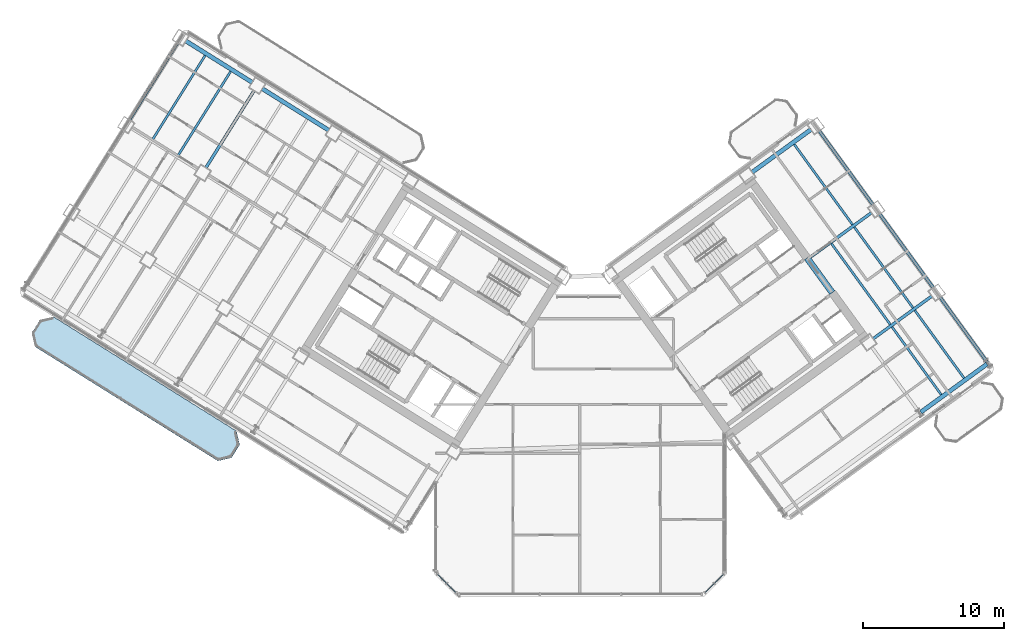
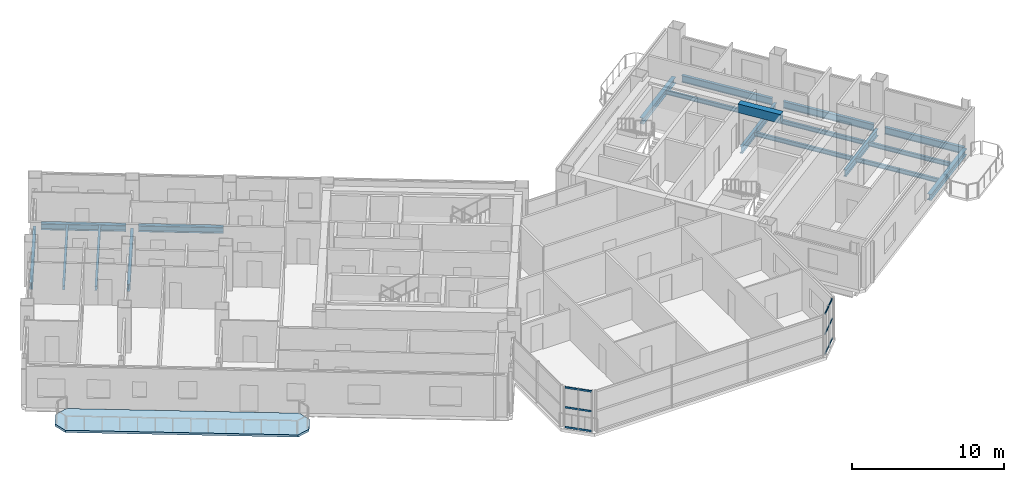
# One storey, part 13 of 29: 19 beams, 12 members, 1 slab, 2 elements without a shape of their own.
"""IFC4 building model written with IfcOpenShell, lengths in metres."""

from ifc_helpers import new_model, si_unit, direction, frame, origin, origin_2d, place, context, subcontext, project, spatial, polyline, rectangle, hollow_rectangle, i_section, outline, extrude, source, transform, mapped, material, layer, layer_set, material_profile, profile_set, type_object, element, aggregate, save


model = new_model("IFC4")

# Units and contexts
model_context = context("Model", 3, precision=1e-05, world=origin(), true_north=direction((0.0, 1.0)))
body_context = subcontext(model_context, "Body", "Model", "MODEL_VIEW")
ifc_project = project(units=[si_unit("LENGTHUNIT", "METRE"), si_unit("AREAUNIT", "SQUARE_METRE"), si_unit("VOLUMEUNIT", "CUBIC_METRE"), si_unit("PLANEANGLEUNIT", "RADIAN"), si_unit("MASSUNIT", "GRAM", prefix="KILO")], contexts=[model_context])

# Site, building, storey
site_placement = place(None, origin())
site = spatial("IfcSite", under=ifc_project, at=site_placement, CompositionType="ELEMENT")
building_placement = place(site_placement, origin())
building = spatial("IfcBuilding", under=site, at=building_placement, Name="Tlacorven Tower", CompositionType="ELEMENT")
storey_placement = place(building_placement, frame((0.0, 0.0, 165.89990234375)))
storey = spatial("IfcBuildingStorey", under=building, at=storey_placement, Name="L42", CompositionType="ELEMENT", Elevation=165.89990234375)

# Beams
ifc_material_1 = material(Name="Concrete C60/75", Category="concrete")
ifc_material_profile_1 = material_profile(ifc_material_1, rectangle(XDim=0.449951171875, YDim=0.699951171875, at=origin_2d()), Name="RC 450X700")
ifc_profile_set_1 = profile_set([ifc_material_profile_1], Name="Concrete C60/75")
beam_type_1 = type_object("IfcBeamType", Name="BM-LNT-700", PredefinedType="LINTEL", material=ifc_profile_set_1)
shared_shape_1 = source(origin(), body_context, "Body", "SweptSolid", [
    extrude(rectangle(XDim=0.449951171875, YDim=0.699951171875, at=origin_2d()), origin(), (0.0, 0.0, 1.0), 3.050048828125),
])
beam_1_placement = place(storey_placement, frame((59.856689453125, 23.345947265625, 2.97021484375), z_axis=(-0.587776590479, 0.80902328748, 0.0), x_axis=(-0.80902328748, -0.587776590479, 0.0)))
element("IfcBeam", 1, at=beam_1_placement, inside=storey, type_object=beam_type_1, Name="L42 E core coupling lintel beam E2", PredefinedType="LINTEL", context=body_context, shape_type="MappedRepresentation", body=[
    mapped(shared_shape_1, transform((0.0, 0.0, 0.0), scale=1.0)),
])
ifc_material_2 = material(Name="Steel S355J2", Category="steel")
ifc_material_profile_2 = material_profile(ifc_material_2, i_section(OverallWidth=0.300048828125, OverallDepth=0.489990234375, WebThickness=0.011962890625, FlangeThickness=0.02294921875, at=origin_2d()), Name="HEA 500")
ifc_profile_set_2 = profile_set([ifc_material_profile_2], Name="Steel S355J2")
beam_type_2 = type_object("IfcBeamType", Name="BM-SPN-500", PredefinedType="SPANDREL", material=ifc_profile_set_2)
shared_shape_2 = source(origin(), body_context, "Body", "SweptSolid", [
    extrude(i_section(OverallWidth=0.300048828125, OverallDepth=0.489990234375, WebThickness=0.011962890625, FlangeThickness=0.02294921875, at=origin_2d()), origin(), (0.0, 0.0, 1.0), 5.800048828125),
])
beam_2_placement = place(storey_placement, frame((66.138671875, 14.86962890625, -0.494873046875), z_axis=(0.809019944521, 0.587781191743, 0.0), x_axis=(-0.587781191743, 0.809019944521, 0.0)))
element("IfcBeam", 2, at=beam_2_placement, inside=storey, type_object=beam_type_2, Name="L42 beam BM-L42-EL1-3", PredefinedType="SPANDREL", context=body_context, shape_type="MappedRepresentation", body=[
    mapped(shared_shape_2, transform((0.0, 0.0, 0.0), scale=1.0)),
])
shared_shape_3 = source(origin(), body_context, "Body", "SweptSolid", [
    extrude(i_section(OverallWidth=0.300048828125, OverallDepth=0.489990234375, WebThickness=0.011962890625, FlangeThickness=0.02294921875, at=origin_2d()), origin(), (0.0, 0.0, 1.0), 5.599853515625),
])
for number, where, z_axis, x_axis, name in (
    (3, (24.1611328125, 34.854736328125, -0.494873046875), (-0.848047285686, 0.529920561254, 0.0), (-0.529920561254, -0.848047285686, 0.0), "L42 beam BM-L42-WL1-4"),
    (4, (18.733642578125, 38.246337890625, -0.494873046875), (-0.848047285686, 0.529920561254, 0.0), (-0.529920561254, -0.848047285686, 0.0), "L42 beam BM-L42-WL1-5"),
):
    element("IfcBeam", number, at=place(storey_placement, frame(where, z_axis=z_axis, x_axis=x_axis)), inside=storey, type_object=beam_type_2, Name=name, PredefinedType="SPANDREL", context=body_context, shape_type="MappedRepresentation", body=[
        mapped(shared_shape_3, transform((0.0, 0.0, 0.0), scale=1.0)),
    ])
ifc_material_profile_3 = material_profile(ifc_material_2, i_section(OverallWidth=0.2099609375, OverallDepth=0.550048828125, WebThickness=0.010986328125, FlangeThickness=0.01708984375, at=origin_2d()), Name="IPE 550")
ifc_profile_set_3 = profile_set([ifc_material_profile_3], Name="Steel S355J2")
beam_type_3 = type_object("IfcBeamType", Name="BM-TWR-550", PredefinedType="BEAM", material=ifc_profile_set_3)
shared_shape_4 = source(origin(), body_context, "Body", "SweptSolid", [
    extrude(i_section(OverallWidth=0.2099609375, OverallDepth=0.550048828125, WebThickness=0.010986328125, FlangeThickness=0.01708984375, at=origin_2d()), origin(), (0.0, 0.0, 1.0), 5.7001953125),
])
beam_3_placement = place(storey_placement, frame((70.853271484375, 18.41845703125, -0.52490234375), z_axis=(-0.587766699507, 0.809030473438, 0.0), x_axis=(-0.809030473438, -0.587766699507, 0.0)))
element("IfcBeam", 5, at=beam_3_placement, inside=storey, type_object=beam_type_3, Name="L42 beam BM-L42-ET4-1", PredefinedType="BEAM", context=body_context, shape_type="MappedRepresentation", body=[
    mapped(shared_shape_4, transform((0.0, 0.0, 0.0), scale=1.0)),
])
shared_shape_5 = source(origin(), body_context, "Body", "SweptSolid", [
    extrude(i_section(OverallWidth=0.2099609375, OverallDepth=0.550048828125, WebThickness=0.010986328125, FlangeThickness=0.01708984375, at=origin_2d()), origin(), (0.0, 0.0, 1.0), 6.5),
])
for number, where, z_axis, x_axis, name in (
    (6, (13.433349609375, 41.086669921875, -0.52490234375), (-0.529894274829, -0.848063710757, 0.0), (0.848063710757, -0.529894274829, 0.0), "L42 beam BM-L42-WT6-1"),
    (7, (67.03271484375, 23.67724609375, -0.52490234375), (-0.587809847215, 0.808999124547, 0.0), (-0.808999124547, -0.587809847215, 0.0), "L42 beam BM-L42-ET4-2"),
    (8, (62.74169921875, 29.5830078125, -0.52490234375), (-0.587785264321, 0.809016985636, 0.0), (-0.809016985636, -0.587785264321, 0.0), "L42 beam BM-L42-ET4-3"),
):
    element("IfcBeam", number, at=place(storey_placement, frame(where, z_axis=z_axis, x_axis=x_axis)), inside=storey, type_object=beam_type_3, Name=name, PredefinedType="BEAM", context=body_context, shape_type="MappedRepresentation", body=[
        mapped(shared_shape_5, transform((0.0, 0.0, 0.0), scale=1.0)),
    ])
shared_shape_6 = source(origin(), body_context, "Body", "SweptSolid", [
    extrude(i_section(OverallWidth=0.2099609375, OverallDepth=0.550048828125, WebThickness=0.010986328125, FlangeThickness=0.01708984375, at=origin_2d()), origin(), (0.0, 0.0, 1.0), 6.499755859375),
])
beam_4_placement = place(storey_placement, frame((18.86083984375, 37.695068359375, -0.52490234375), z_axis=(-0.529911154058, -0.848053163902, 0.0), x_axis=(0.848053163902, -0.529911154058, 0.0)))
element("IfcBeam", 9, at=beam_4_placement, inside=storey, type_object=beam_type_3, Name="L42 beam BM-L42-WT5-1", PredefinedType="BEAM", context=body_context, shape_type="MappedRepresentation", body=[
    mapped(shared_shape_6, transform((0.0, 0.0, 0.0), scale=1.0)),
])
shared_shape_7 = source(origin(), body_context, "Body", "SweptSolid", [
    extrude(i_section(OverallWidth=0.2099609375, OverallDepth=0.550048828125, WebThickness=0.010986328125, FlangeThickness=0.01708984375, at=origin_2d()), origin(), (0.0, 0.0, 1.0), 5.56005859375),
])
beam_5_placement = place(storey_placement, frame((58.155029296875, 25.756103515625, -0.52490234375), z_axis=(0.809028396397, 0.587769558435, 0.0), x_axis=(-0.587769558435, 0.809028396397, 0.0)))
element("IfcBeam", 10, at=beam_5_placement, inside=storey, type_object=beam_type_3, Name="L42 beam BM-L42-EL3-3", PredefinedType="BEAM", context=body_context, shape_type="MappedRepresentation", body=[
    mapped(shared_shape_7, transform((0.0, 0.0, 0.0), scale=1.0)),
])
ifc_material_profile_4 = material_profile(ifc_material_2, i_section(OverallWidth=0.159912109375, OverallDepth=0.330078125, WebThickness=0.007568359375, FlangeThickness=0.011474609375, at=origin_2d()), Name="IPE 330")
ifc_profile_set_4 = profile_set([ifc_material_profile_4], Name="Steel S355J2")
beam_type_4 = type_object("IfcBeamType", Name="BM-JST-330", PredefinedType="JOIST", material=ifc_profile_set_4)
shared_shape_8 = source(origin(), body_context, "Body", "SweptSolid", [
    extrude(i_section(OverallWidth=0.159912109375, OverallDepth=0.330078125, WebThickness=0.007568359375, FlangeThickness=0.011474609375, at=origin_2d()), origin(), (0.0, 0.0, 1.0), 5.93505859375),
])
for number, where, z_axis, x_axis, name in (
    (11, (67.584716796875, 16.11181640625, -0.414794921875), (-0.58778762431, 0.809015270998, 0.0), (-0.809015270998, -0.58778762431, 0.0), "L42 beam BM-L42-EJ3-1-1"),
    (12, (69.202880859375, 17.287353515625, -0.414794921875), (-0.58778762431, 0.809015270998, 0.0), (-0.809015270998, -0.58778762431, 0.0), "L42 beam BM-L42-EJ3-1-2"),
):
    element("IfcBeam", number, at=place(storey_placement, frame(where, z_axis=z_axis, x_axis=x_axis)), inside=storey, type_object=beam_type_4, Name=name, PredefinedType="JOIST", context=body_context, shape_type="MappedRepresentation", body=[
        mapped(shared_shape_8, transform((0.0, 0.0, 0.0), scale=1.0)),
    ])
shared_shape_9 = source(origin(), body_context, "Body", "SweptSolid", [
    extrude(i_section(OverallWidth=0.159912109375, OverallDepth=0.330078125, WebThickness=0.007568359375, FlangeThickness=0.011474609375, at=origin_2d()), origin(), (0.0, 0.0, 1.0), 7.080078125),
])
beam_6_placement = place(storey_placement, frame((65.5849609375, 22.266845703125, -0.414794921875), z_axis=(-0.587759505125, 0.809035700161, 0.0), x_axis=(-0.809035700161, -0.587759505125, 0.0)))
element("IfcBeam", 13, at=beam_6_placement, inside=storey, type_object=beam_type_4, Name="L42 beam BM-L42-EJ3-2-2", PredefinedType="JOIST", context=body_context, shape_type="MappedRepresentation", body=[
    mapped(shared_shape_9, transform((0.0, 0.0, 0.0), scale=1.0)),
])
shared_shape_10 = source(origin(), body_context, "Body", "SweptSolid", [
    extrude(i_section(OverallWidth=0.159912109375, OverallDepth=0.330078125, WebThickness=0.007568359375, FlangeThickness=0.011474609375, at=origin_2d()), origin(), (0.0, 0.0, 1.0), 7.03515625),
])
beam_7_placement = place(storey_placement, frame((17.181640625, 39.033447265625, -0.414794921875), z_axis=(-0.529920952588, -0.848047041153, 0.0), x_axis=(0.848047041153, -0.529920952588, 0.0)))
element("IfcBeam", 14, at=beam_7_placement, inside=storey, type_object=beam_type_4, Name="L42 beam BM-L42-WJ5-1-1", PredefinedType="JOIST", context=body_context, shape_type="MappedRepresentation", body=[
    mapped(shared_shape_10, transform((0.0, 0.0, 0.0), scale=1.0)),
])
shared_shape_11 = source(origin(), body_context, "Body", "SweptSolid", [
    extrude(i_section(OverallWidth=0.159912109375, OverallDepth=0.330078125, WebThickness=0.007568359375, FlangeThickness=0.011474609375, at=origin_2d()), origin(), (0.0, 0.0, 1.0), 7.034912109375),
])
for number, where, z_axis, x_axis, name in (
    (15, (15.372314453125, 40.163818359375, -0.414794921875), (-0.529895993776, -0.848062636708, 0.0), (0.848062636708, -0.529895993776, 0.0), "L42 beam BM-L42-WJ5-1-2"),
    (16, (61.294189453125, 28.1728515625, -0.414794921875), (-0.587781631373, 0.809019625115, 0.0), (-0.809019625115, -0.587781631373, 0.0), "L42 beam BM-L42-EJ3-3-2"),
):
    element("IfcBeam", number, at=place(storey_placement, frame(where, z_axis=z_axis, x_axis=x_axis)), inside=storey, type_object=beam_type_4, Name=name, PredefinedType="JOIST", context=body_context, shape_type="MappedRepresentation", body=[
        mapped(shared_shape_11, transform((0.0, 0.0, 0.0), scale=1.0)),
    ])
shared_shape_12 = source(origin(), body_context, "Body", "SweptSolid", [
    extrude(i_section(OverallWidth=0.159912109375, OverallDepth=0.330078125, WebThickness=0.007568359375, FlangeThickness=0.011474609375, at=origin_2d()), origin(), (0.0, 0.0, 1.0), 7.080322265625),
])
beam_8_placement = place(storey_placement, frame((63.967041015625, 21.09130859375, -0.414794921875), z_axis=(-0.587782074775, 0.809019302967, 0.0), x_axis=(-0.809019302967, -0.587782074775, 0.0)))
element("IfcBeam", 17, at=beam_8_placement, inside=storey, type_object=beam_type_4, Name="L42 beam BM-L42-EJ3-2-1", PredefinedType="JOIST", context=body_context, shape_type="MappedRepresentation", body=[
    mapped(shared_shape_12, transform((0.0, 0.0, 0.0), scale=1.0)),
])
shared_shape_13 = source(origin(), body_context, "Body", "SweptSolid", [
    extrude(i_section(OverallWidth=0.2099609375, OverallDepth=0.550048828125, WebThickness=0.010986328125, FlangeThickness=0.01708984375, at=origin_2d()), origin(), (0.0, 0.0, 1.0), 5.199951171875),
])
beam_9_placement = place(storey_placement, frame((62.7373046875, 20.06201171875, -0.52490234375), z_axis=(0.809018206713, 0.587783583648, 0.0), x_axis=(-0.587783583648, 0.809018206713, 0.0)))
element("IfcBeam", 18, at=beam_9_placement, inside=storey, type_object=beam_type_3, Name="L42 beam BM-L42-EL2-3", PredefinedType="BEAM", context=body_context, shape_type="MappedRepresentation", body=[
    mapped(shared_shape_13, transform((0.0, 0.0, 0.0), scale=1.0)),
])
shared_shape_14 = source(origin(), body_context, "Body", "SweptSolid", [
    extrude(i_section(OverallWidth=0.300048828125, OverallDepth=0.489990234375, WebThickness=0.011962890625, FlangeThickness=0.02294921875, at=origin_2d()), origin(), (0.0, 0.0, 1.0), 5.2001953125),
])
beam_10_placement = place(storey_placement, frame((54.155517578125, 31.87353515625, -0.494873046875), z_axis=(0.80901210161, 0.587791986546, 0.0), x_axis=(-0.587791986546, 0.80901210161, 0.0)))
element("IfcBeam", 19, at=beam_10_placement, inside=storey, type_object=beam_type_2, Name="L42 beam BM-L42-EL4-3", PredefinedType="SPANDREL", context=body_context, shape_type="MappedRepresentation", body=[
    mapped(shared_shape_14, transform((0.0, 0.0, 0.0), scale=1.0)),
])

# Curtain wall, members
ifc_material_3 = material(Name="Dark solar low-E double glazing in aluminium frame", Category="aluminium")
curtain_wall_type = type_object("IfcCurtainWallType", Name="CW-TWR-MID", PredefinedType="USERDEFINED", material=ifc_material_3)
curtain_wall_1_placement = place(storey_placement, origin())
curtain_wall_1 = element("IfcCurtainWall", 20, at=curtain_wall_1_placement, inside=storey, type_object=curtain_wall_type, Name="L42 CW-TWR-MID Curtain Wall 190", ObjectType="UNITISED CURTAIN WALL", PredefinedType="USERDEFINED")
ifc_material_4 = material(Name="Aluminium 6063-T6 anodised", Category="aluminium")
ifc_material_profile_5 = material_profile(ifc_material_4, hollow_rectangle(XDim=0.06005859375, YDim=0.139892578125, WallThickness=0.00390625, at=origin_2d()), Name="ALU TRANSOM 60X140")
ifc_profile_set_5 = profile_set([ifc_material_profile_5], Name="Aluminium 6063-T6 anodised")
member_type = type_object("IfcMemberType", Name="CWT-02", PredefinedType="USERDEFINED", material=ifc_profile_set_5)
shared_shape_15 = source(origin(), body_context, "Body", "SweptSolid", [
    extrude(hollow_rectangle(XDim=0.06005859375, YDim=0.139892578125, WallThickness=0.00390625, at=origin_2d()), origin(), (0.0, 0.0, 1.0), 0.8916015625),
])
member_1_placement = place(storey_placement, frame((52.1318359375, 3.358154296875, 0.070068359375), z_axis=(-0.706969864397, -0.70724367147, 0.0), x_axis=(0.70724367147, -0.706969864397, 0.0)))
member_1 = element("IfcMember", 21, at=member_1_placement, type_object=member_type, Name="CW-L42-190 Transom 1", ObjectType="TRANSOM", PredefinedType="USERDEFINED", context=body_context, shape_type="MappedRepresentation", body=[
    mapped(shared_shape_15, transform((0.0, 0.0, 0.0), scale=1.0)),
])
member_2_placement = place(storey_placement, frame((52.1318359375, 3.358154296875, 1.66015625), z_axis=(-0.706969864397, -0.70724367147, 0.0), x_axis=(0.70724367147, -0.706969864397, 0.0)))
member_2 = element("IfcMember", 22, at=member_2_placement, type_object=member_type, Name="CW-L42-190 Transom 2", ObjectType="TRANSOM", PredefinedType="USERDEFINED", context=body_context, shape_type="MappedRepresentation", body=[
    mapped(shared_shape_15, transform((0.0, 0.0, 0.0), scale=1.0)),
])
member_3_placement = place(storey_placement, frame((52.1318359375, 3.358154296875, 3.25), z_axis=(-0.706969864397, -0.70724367147, 0.0), x_axis=(0.70724367147, -0.706969864397, 0.0)))
member_3 = element("IfcMember", 23, at=member_3_placement, type_object=member_type, Name="CW-L42-190 Transom 3", ObjectType="TRANSOM", PredefinedType="USERDEFINED", context=body_context, shape_type="MappedRepresentation", body=[
    mapped(shared_shape_15, transform((0.0, 0.0, 0.0), scale=1.0)),
])

curtain_wall_2_placement = place(storey_placement, origin())
curtain_wall_2 = element("IfcCurtainWall", 24, at=curtain_wall_2_placement, inside=storey, type_object=curtain_wall_type, Name="L42 CW-TWR-MID Curtain Wall 192", ObjectType="UNITISED CURTAIN WALL", PredefinedType="USERDEFINED")
member_4_placement = place(storey_placement, frame((32.49853515625, 2.7275390625, 0.070068359375), z_axis=(-0.706969864397, 0.70724367147, 0.0), x_axis=(-0.70724367147, -0.706969864397, 0.0)))
member_4 = element("IfcMember", 25, at=member_4_placement, type_object=member_type, Name="CW-L42-192 Transom 4", ObjectType="TRANSOM", PredefinedType="USERDEFINED", context=body_context, shape_type="MappedRepresentation", body=[
    mapped(shared_shape_15, transform((0.0, 0.0, 0.0), scale=1.0)),
])
member_5_placement = place(storey_placement, frame((32.49853515625, 2.7275390625, 1.66015625), z_axis=(-0.706969864397, 0.70724367147, 0.0), x_axis=(-0.70724367147, -0.706969864397, 0.0)))
member_5 = element("IfcMember", 26, at=member_5_placement, type_object=member_type, Name="CW-L42-192 Transom 5", ObjectType="TRANSOM", PredefinedType="USERDEFINED", context=body_context, shape_type="MappedRepresentation", body=[
    mapped(shared_shape_15, transform((0.0, 0.0, 0.0), scale=1.0)),
])
member_6_placement = place(storey_placement, frame((32.49853515625, 2.7275390625, 3.25), z_axis=(-0.706969864397, 0.70724367147, 0.0), x_axis=(-0.70724367147, -0.706969864397, 0.0)))
member_6 = element("IfcMember", 27, at=member_6_placement, type_object=member_type, Name="CW-L42-192 Transom 6", ObjectType="TRANSOM", PredefinedType="USERDEFINED", context=body_context, shape_type="MappedRepresentation", body=[
    mapped(shared_shape_15, transform((0.0, 0.0, 0.0), scale=1.0)),
])

# Member
shared_shape_16 = source(origin(), body_context, "Body", "SweptSolid", [
    extrude(hollow_rectangle(XDim=0.06005859375, YDim=0.139892578125, WallThickness=0.00390625, at=origin_2d()), origin(), (0.0, 0.0, 1.0), 0.891845703125),
])
member_7_placement = place(storey_placement, frame((51.472412109375, 2.69873046875, 0.070068359375), z_axis=(-0.707106781187, -0.707106781187, 0.0), x_axis=(0.707106781187, -0.707106781187, 0.0)))
member_7 = element("IfcMember", 28, at=member_7_placement, type_object=member_type, Name="CW-L42-190 Transom 4", ObjectType="TRANSOM", PredefinedType="USERDEFINED", context=body_context, shape_type="MappedRepresentation", body=[
    mapped(shared_shape_16, transform((0.0, 0.0, 0.0), scale=1.0)),
])

member_8_placement = place(storey_placement, frame((51.472412109375, 2.69873046875, 1.66015625), z_axis=(-0.707106781187, -0.707106781187, 0.0), x_axis=(0.707106781187, -0.707106781187, 0.0)))
member_8 = element("IfcMember", 29, at=member_8_placement, type_object=member_type, Name="CW-L42-190 Transom 5", ObjectType="TRANSOM", PredefinedType="USERDEFINED", context=body_context, shape_type="MappedRepresentation", body=[
    mapped(shared_shape_16, transform((0.0, 0.0, 0.0), scale=1.0)),
])

member_9_placement = place(storey_placement, frame((51.472412109375, 2.69873046875, 3.25), z_axis=(-0.707106781187, -0.707106781187, 0.0), x_axis=(0.707106781187, -0.707106781187, 0.0)))
member_9 = element("IfcMember", 30, at=member_9_placement, type_object=member_type, Name="CW-L42-190 Transom 6", ObjectType="TRANSOM", PredefinedType="USERDEFINED", context=body_context, shape_type="MappedRepresentation", body=[
    mapped(shared_shape_16, transform((0.0, 0.0, 0.0), scale=1.0)),
])

aggregate(curtain_wall_1, [member_1, member_2, member_3, member_7, member_8, member_9])

member_10_placement = place(storey_placement, frame((33.158203125, 2.068115234375, 0.070068359375), z_axis=(-0.707106781187, 0.707106781187, 0.0), x_axis=(-0.707106781187, -0.707106781187, 0.0)))
member_10 = element("IfcMember", 31, at=member_10_placement, type_object=member_type, Name="CW-L42-192 Transom 1", ObjectType="TRANSOM", PredefinedType="USERDEFINED", context=body_context, shape_type="MappedRepresentation", body=[
    mapped(shared_shape_16, transform((0.0, 0.0, 0.0), scale=1.0)),
])

member_11_placement = place(storey_placement, frame((33.158203125, 2.068115234375, 1.66015625), z_axis=(-0.707106781187, 0.707106781187, 0.0), x_axis=(-0.707106781187, -0.707106781187, 0.0)))
member_11 = element("IfcMember", 32, at=member_11_placement, type_object=member_type, Name="CW-L42-192 Transom 2", ObjectType="TRANSOM", PredefinedType="USERDEFINED", context=body_context, shape_type="MappedRepresentation", body=[
    mapped(shared_shape_16, transform((0.0, 0.0, 0.0), scale=1.0)),
])

member_12_placement = place(storey_placement, frame((33.158203125, 2.068115234375, 3.25), z_axis=(-0.707106781187, 0.707106781187, 0.0), x_axis=(-0.707106781187, -0.707106781187, 0.0)))
member_12 = element("IfcMember", 33, at=member_12_placement, type_object=member_type, Name="CW-L42-192 Transom 3", ObjectType="TRANSOM", PredefinedType="USERDEFINED", context=body_context, shape_type="MappedRepresentation", body=[
    mapped(shared_shape_16, transform((0.0, 0.0, 0.0), scale=1.0)),
])

aggregate(curtain_wall_2, [member_10, member_11, member_12, member_4, member_5, member_6])

# Slab
ifc_material_5 = material(Name="Precast concrete C45/55", Category="concrete")
ifc_layer = layer(ifc_material_5, 0.179931640625)
ifc_layer_set = layer_set([ifc_layer], Name="Precast concrete C45/55")
slab_type = type_object("IfcSlabType", Name="SL-BAL-180", PredefinedType="USERDEFINED", material=ifc_layer_set)
slab_placement = place(storey_placement, frame((0.0, 0.0, -0.179931640625)))
element("IfcSlab", 34, at=slab_placement, inside=storey, type_object=slab_type, Name="L42 West Wing Balcony Ribbon OUT", ObjectType="BALCONY SLAB", PredefinedType="USERDEFINED", context=body_context, shape_type="SweptSolid", body=[
    extrude(outline(polyline([(17.601318359375, 13.52490234375), (4.626220703125, 21.632568359375), (3.66162109375, 21.409912109375), (3.081298828125, 20.4814453125), (3.303955078125, 19.516845703125), (16.279052734375, 11.408935546875), (17.24365234375, 11.6318359375), (17.823974609375, 12.560302734375), (17.601318359375, 13.52490234375)])), origin(), (0.0, 0.0, 1.0), 0.179931640625),
])

save(model, "model.ifc")
